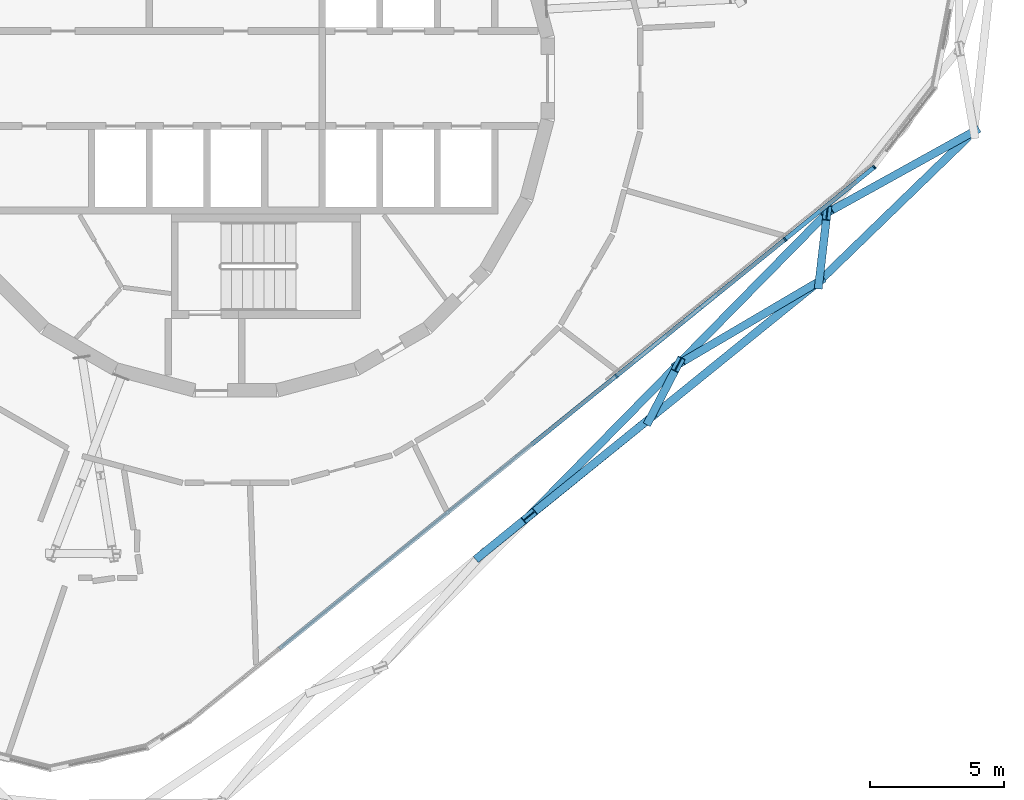
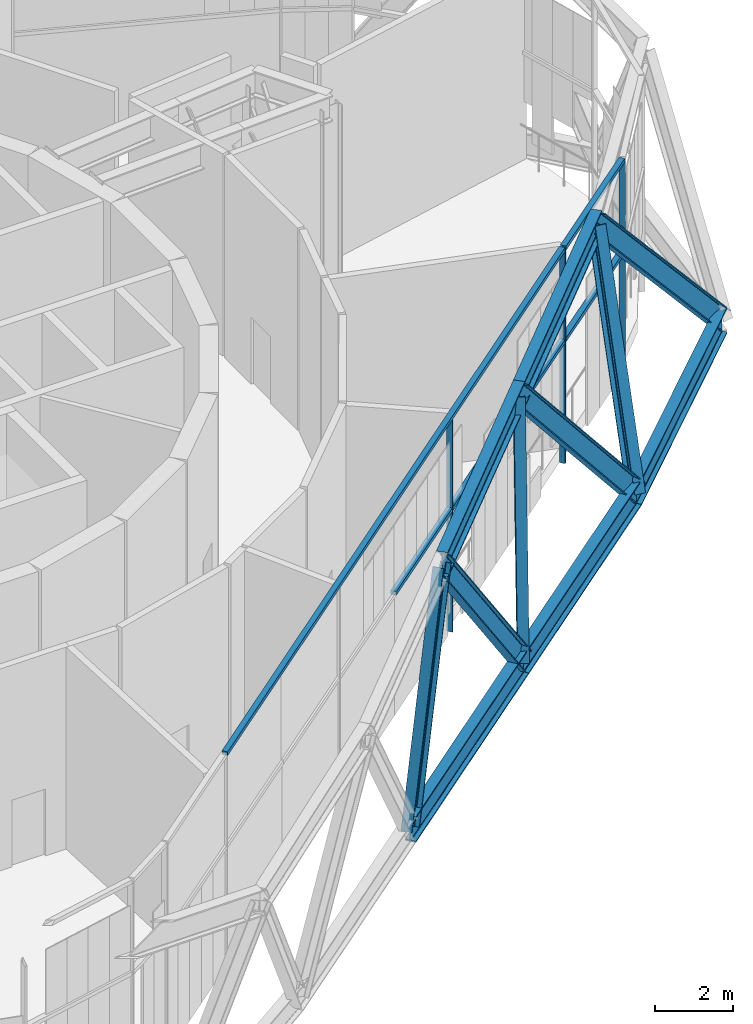
# One storey, part 4 of 25: 20 members, 2 elements without a shape of their own.
"""IFC4 building model written with IfcOpenShell, lengths in metres."""

from ifc_helpers import new_model, si_unit, direction, frame, origin, origin_2d, place, context, subcontext, project, spatial, rectangle, i_section, extrude, material, layer, layer_set, material_profile, profile_set, type_object, element, aggregate, save


model = new_model("IFC4")

# Units and contexts
model_context = context("Model", 3, precision=1e-05, world=origin(), true_north=direction((0.0, 1.0)))
body_context = subcontext(model_context, "Body", "Model", "MODEL_VIEW")
ifc_project = project(units=[si_unit("LENGTHUNIT", "METRE"), si_unit("AREAUNIT", "SQUARE_METRE"), si_unit("VOLUMEUNIT", "CUBIC_METRE"), si_unit("PLANEANGLEUNIT", "RADIAN"), si_unit("MASSUNIT", "GRAM", prefix="KILO")], contexts=[model_context])

# Site, building, storey
site_placement = place(None, origin())
site = spatial("IfcSite", under=ifc_project, at=site_placement, CompositionType="ELEMENT")
building_placement = place(site_placement, origin())
building = spatial("IfcBuilding", under=site, at=building_placement, Name="Spindle Arch Residences", CompositionType="ELEMENT")
storey_placement = place(building_placement, frame((0.0, 0.0, 291.39990234375)))
storey = spatial("IfcBuildingStorey", under=building, at=storey_placement, Name="L75", CompositionType="ELEMENT", Elevation=291.39990234375)

# Members
ifc_material_1 = material(Name="Steel S460ML, intumescent coating R 240", Category="steel")
ifc_material_profile_1 = material_profile(ifc_material_1, i_section(OverallWidth=0.302978515625, OverallDepth=0.81396484375, WebThickness=0.02099609375, FlangeThickness=0.0400390625, FilletRadius=0.030029296875, at=origin_2d()), Name="HEM 800")
ifc_profile_set_1 = profile_set([ifc_material_profile_1], Name="Steel S460ML, intumescent coating R 240")
member_type_1 = type_object("IfcMemberType", Name="Belt truss chord HEM 800", PredefinedType="CHORD", material=ifc_profile_set_1)
member_1_placement = place(storey_placement, frame((15.48291015625, -12.67822265625, -0.85693359375), z_axis=(0.777144581934, 0.629322094615, 0.0), x_axis=(-0.629322094615, 0.777144581934, 0.0)))
element("IfcMember", 1, at=member_1_placement, inside=storey, type_object=member_type_1, Name="Belt truss bottom chord L75.1", PredefinedType="CHORD", context=body_context, shape_type="SweptSolid", body=[
    extrude(i_section(OverallWidth=0.302978515625, OverallDepth=0.81396484375, WebThickness=0.02099609375, FlangeThickness=0.0400390625, FilletRadius=0.030029296875, at=origin_2d()), origin(), (0.0, 0.0, 1.0), 8.107666015625),
])
member_2_placement = place(storey_placement, frame((21.78369140625, -7.575927734375, -0.85693359375), z_axis=(0.718270539197, 0.695763920106, 0.0), x_axis=(-0.695763920106, 0.718270539197, 0.0)))
element("IfcMember", 2, at=member_2_placement, inside=storey, type_object=member_type_1, Name="Belt truss bottom chord L75.2", PredefinedType="CHORD", context=body_context, shape_type="SweptSolid", body=[
    extrude(i_section(OverallWidth=0.302978515625, OverallDepth=0.81396484375, WebThickness=0.02099609375, FlangeThickness=0.0400390625, FilletRadius=0.030029296875, at=origin_2d()), origin(), (0.0, 0.0, 1.0), 8.048828125),
])
member_3_placement = place(storey_placement, frame((9.18212890625, -17.780517578125, -0.85693359375), z_axis=(0.777144581934, 0.629322094615, 0.0), x_axis=(-0.629322094615, 0.777144581934, 0.0)))
element("IfcMember", 3, at=member_3_placement, inside=storey, type_object=member_type_1, Name="Belt truss bottom chord L75.20", PredefinedType="CHORD", context=body_context, shape_type="SweptSolid", body=[
    extrude(i_section(OverallWidth=0.302978515625, OverallDepth=0.81396484375, WebThickness=0.02099609375, FlangeThickness=0.0400390625, FilletRadius=0.030029296875, at=origin_2d()), origin(), (0.0, 0.0, 1.0), 8.107666015625),
])
for number, where, z_axis, x_axis, name in (
    (4, (16.521484375, -10.6728515625, 5.943115234375), (0.700911018066, 0.713248725728, 0.0), (-0.713248725728, 0.700911018066, 0.0), "Belt truss top chord L75.1"),
    (5, (10.959716796875, -16.33251953125, 5.943115234375), (0.700911018066, 0.713248725728, 0.0), (-0.713248725728, 0.700911018066, 0.0), "Belt truss top chord L75.20"),
):
    element("IfcMember", number, at=place(storey_placement, frame(where, z_axis=z_axis, x_axis=x_axis)), inside=storey, type_object=member_type_1, Name=name, PredefinedType="CHORD", context=body_context, shape_type="SweptSolid", body=[
        extrude(i_section(OverallWidth=0.302978515625, OverallDepth=0.81396484375, WebThickness=0.02099609375, FlangeThickness=0.0400390625, FilletRadius=0.030029296875, at=origin_2d()), origin(), (0.0, 0.0, 1.0), 7.93505859375),
    ])
ifc_material_2 = material(Name="Steel S460ML, intumescent coating R 240", Category="steel")
ifc_material_profile_2 = material_profile(ifc_material_2, i_section(OverallWidth=0.300048828125, OverallDepth=0.60009765625, WebThickness=0.015380859375, FlangeThickness=0.030029296875, FilletRadius=0.027099609375, at=origin_2d()), Name="HEB 600")
ifc_profile_set_2 = profile_set([ifc_material_profile_2], Name="Steel S460ML, intumescent coating R 240")
member_type_2 = type_object("IfcMemberType", Name="Belt truss diagonal HEB 600", PredefinedType="BRACE", material=ifc_profile_set_2)
member_4_placement = place(storey_placement, frame((15.48291015625, -12.67822265625, -0.85693359375), z_axis=(0.144945976304, 0.279874529703, 0.949031565111), x_axis=(-0.887980219472, 0.45988164763, 0.0)))
element("IfcMember", 6, at=member_4_placement, inside=storey, type_object=member_type_2, Name="Belt truss diagonal L75.1.1", PredefinedType="BRACE", context=body_context, shape_type="SweptSolid", body=[
    extrude(i_section(OverallWidth=0.300048828125, OverallDepth=0.60009765625, WebThickness=0.015380859375, FlangeThickness=0.030029296875, FilletRadius=0.027099609375, at=origin_2d()), origin(), (0.0, 0.0, 1.0), 7.165283203125),
])
member_5_placement = place(storey_placement, frame((21.78369140625, -7.575927734375, -0.85693359375), z_axis=(-0.575793005962, -0.33886676629, 0.744064331217), x_axis=(0.507203591585, -0.861826268272, 0.0)))
element("IfcMember", 7, at=member_5_placement, inside=storey, type_object=member_type_2, Name="Belt truss diagonal L75.1.2", PredefinedType="BRACE", context=body_context, shape_type="SweptSolid", body=[
    extrude(i_section(OverallWidth=0.300048828125, OverallDepth=0.60009765625, WebThickness=0.015380859375, FlangeThickness=0.030029296875, FilletRadius=0.027099609375, at=origin_2d()), origin(), (0.0, 0.0, 1.0), 9.13916015625),
])
member_6_placement = place(storey_placement, frame((21.78369140625, -7.575927734375, -0.85693359375), z_axis=(0.041187435332, 0.352359012776, 0.934958138788), x_axis=(-0.993237521272, 0.116100070363, 0.0)))
element("IfcMember", 8, at=member_6_placement, inside=storey, type_object=member_type_2, Name="Belt truss diagonal L75.2.2", PredefinedType="BRACE", context=body_context, shape_type="SweptSolid", body=[
    extrude(i_section(OverallWidth=0.300048828125, OverallDepth=0.60009765625, WebThickness=0.015380859375, FlangeThickness=0.030029296875, FilletRadius=0.027099609375, at=origin_2d()), origin(), (0.0, 0.0, 1.0), 7.273193359375),
])
member_7_placement = place(storey_placement, frame((27.56494140625, -1.975830078125, -0.85693359375), z_axis=(-0.59277929402, -0.328453533911, 0.73534412668), x_axis=(0.48466355728, -0.874700655221, 0.0)))
element("IfcMember", 9, at=member_7_placement, inside=storey, type_object=member_type_2, Name="Belt truss diagonal L75.2.3", PredefinedType="BRACE", context=body_context, shape_type="SweptSolid", body=[
    extrude(i_section(OverallWidth=0.300048828125, OverallDepth=0.60009765625, WebThickness=0.015380859375, FlangeThickness=0.030029296875, FilletRadius=0.027099609375, at=origin_2d()), origin(), (0.0, 0.0, 1.0), 9.24755859375),
])
member_8_placement = place(storey_placement, frame((9.18212890625, -17.780517578125, -0.85693359375), z_axis=(0.247707613144, 0.201779131102, 0.94758963726), x_axis=(-0.631566283977, 0.775321887311, 0.0)))
element("IfcMember", 10, at=member_8_placement, inside=storey, type_object=member_type_2, Name="Belt truss diagonal L75.20.20", PredefinedType="BRACE", context=body_context, shape_type="SweptSolid", body=[
    extrude(i_section(OverallWidth=0.300048828125, OverallDepth=0.60009765625, WebThickness=0.015380859375, FlangeThickness=0.030029296875, FilletRadius=0.027099609375, at=origin_2d()), origin(), (0.0, 0.0, 1.0), 7.17626953125),
])
member_9_placement = place(storey_placement, frame((15.48291015625, -12.67822265625, -0.85693359375), z_axis=(-0.505538344582, -0.408425430005, 0.760012927708), x_axis=(0.628435806926, -0.777861450756, 0.0)))
element("IfcMember", 11, at=member_9_placement, inside=storey, type_object=member_type_2, Name="Belt truss diagonal L75.20.1", PredefinedType="BRACE", context=body_context, shape_type="SweptSolid", body=[
    extrude(i_section(OverallWidth=0.300048828125, OverallDepth=0.60009765625, WebThickness=0.015380859375, FlangeThickness=0.030029296875, FilletRadius=0.027099609375, at=origin_2d()), origin(), (0.0, 0.0, 1.0), 8.947265625),
])

# Curtain wall, members
ifc_material_3 = material(Name="Aluminium bronze unitised frame with tinted glass", Category="aluminium")
ifc_layer = layer(ifc_material_3, 0.159912109375)
ifc_layer_set = layer_set([ifc_layer], Name="CW-E double-height winter garden wall")
curtain_wall_type = type_object("IfcCurtainWallType", Name="CW-E double-height winter garden wall", PredefinedType="NOTDEFINED", material=ifc_layer_set)
curtain_wall_1_placement = place(storey_placement, origin())
curtain_wall_1 = element("IfcCurtainWall", 12, at=curtain_wall_1_placement, inside=storey, type_object=curtain_wall_type, Name="CW-E L75 run 1", PredefinedType="NOTDEFINED")
ifc_material_4 = material(Name="Aluminium bronze anodised mullion", Category="aluminium")
ifc_material_profile_3 = material_profile(ifc_material_4, rectangle(XDim=0.159912109375, YDim=0.06005859375, at=origin_2d()), Name="MU 60x160")
ifc_profile_set_3 = profile_set([ifc_material_profile_3], Name="Aluminium bronze anodised mullion")
member_type_3 = type_object("IfcMemberType", Name="Bronze mullion 60x160", PredefinedType="MULLION", material=ifc_profile_set_3)
member_10_placement = place(storey_placement, frame((20.512451171875, -6.006103515625, -0.449951171875), z_axis=(0.0, 0.0, 1.0), x_axis=(-0.62932039105, 0.777145961457, 0.0)))
member_10 = element("IfcMember", 13, at=member_10_placement, type_object=member_type_3, Name="CW-E mullion 00", PredefinedType="MULLION", context=body_context, shape_type="SweptSolid", body=[
    extrude(rectangle(XDim=0.159912109375, YDim=0.06005859375, at=origin_2d()), origin(), (0.0, 0.0, 1.0), 6.679931640625),
])
member_11_placement = place(storey_placement, frame((23.84423828125, -3.30810546875, -0.449951171875), z_axis=(0.0, 0.0, 1.0), x_axis=(-0.791579170105, 0.611066622764, 0.0)))
member_11 = element("IfcMember", 14, at=member_11_placement, type_object=member_type_3, Name="CW-E mullion 01", PredefinedType="MULLION", context=body_context, shape_type="SweptSolid", body=[
    extrude(rectangle(XDim=0.159912109375, YDim=0.06005859375, at=origin_2d()), origin(), (0.0, 0.0, 1.0), 6.679931640625),
])

# Curtain wall, member
curtain_wall_2_placement = place(storey_placement, origin())
curtain_wall_2 = element("IfcCurtainWall", 15, at=curtain_wall_2_placement, inside=storey, type_object=curtain_wall_type, Name="CW-E L75 run 6", PredefinedType="NOTDEFINED")
member_12_placement = place(storey_placement, frame((14.211669921875, -11.1083984375, -0.449951171875), z_axis=(0.0, 0.0, 1.0), x_axis=(-0.62932039105, 0.777145961457, 0.0)))
member_12 = element("IfcMember", 16, at=member_12_placement, type_object=member_type_3, Name="CW-E mullion 00", PredefinedType="MULLION", context=body_context, shape_type="SweptSolid", body=[
    extrude(rectangle(XDim=0.159912109375, YDim=0.06005859375, at=origin_2d()), origin(), (0.0, 0.0, 1.0), 6.679931640625),
])

# Member
ifc_material_5 = material(Name="Aluminium bronze anodised transom", Category="aluminium")
ifc_material_profile_4 = material_profile(ifc_material_5, rectangle(XDim=0.159912109375, YDim=0.1201171875, at=origin_2d()), Name="TR 120x160")
ifc_profile_set_4 = profile_set([ifc_material_profile_4], Name="Aluminium bronze anodised transom")
member_type_4 = type_object("IfcMemberType", Name="Bronze transom 120x160", PredefinedType="USERDEFINED", material=ifc_profile_set_4)
member_13_placement = place(storey_placement, frame((20.535888671875, -5.9873046875, 6.2900390625), z_axis=(0.777158783918, 0.6293045563, 0.0), x_axis=(-0.6293045563, 0.777158783918, 0.0)))
member_13 = element("IfcMember", 17, at=member_13_placement, type_object=member_type_4, Name="CW-E transom 00", ObjectType="TRANSOM", PredefinedType="USERDEFINED", context=body_context, shape_type="SweptSolid", body=[
    extrude(rectangle(XDim=0.159912109375, YDim=0.1201171875, at=origin_2d()), origin(), (0.0, 0.0, 1.0), 4.22705078125),
])

member_14_placement = place(storey_placement, frame((20.535888671875, -5.9873046875, 3.400146484375), z_axis=(0.777158783918, 0.6293045563, 0.0), x_axis=(-0.6293045563, 0.777158783918, 0.0)))
member_14 = element("IfcMember", 18, at=member_14_placement, type_object=member_type_4, Name="CW-E transom 00m", ObjectType="TRANSOM", PredefinedType="USERDEFINED", context=body_context, shape_type="SweptSolid", body=[
    extrude(rectangle(XDim=0.159912109375, YDim=0.1201171875, at=origin_2d()), origin(), (0.0, 0.0, 1.0), 4.22705078125),
])

aggregate(curtain_wall_1, [member_10, member_13, member_14, member_11])

member_15_placement = place(storey_placement, frame((1.633544921875, -21.294189453125, 6.2900390625), z_axis=(0.777146208679, 0.629320085756, 0.0), x_axis=(-0.629320085756, 0.777146208679, 0.0)))
member_15 = element("IfcMember", 19, at=member_15_placement, type_object=member_type_4, Name="CW-E transom 00", ObjectType="TRANSOM", PredefinedType="USERDEFINED", context=body_context, shape_type="SweptSolid", body=[
    extrude(rectangle(XDim=0.159912109375, YDim=0.1201171875, at=origin_2d()), origin(), (0.0, 0.0, 1.0), 24.2626953125),
])

member_16_placement = place(storey_placement, frame((11.061279296875, -13.65966796875, 3.400146484375), z_axis=(0.777161500734, 0.629301201156, 0.0), x_axis=(-0.629301201156, 0.777161500734, 0.0)))
member_16 = element("IfcMember", 20, at=member_16_placement, type_object=member_type_4, Name="CW-E transom 19Bm", ObjectType="TRANSOM", PredefinedType="USERDEFINED", context=body_context, shape_type="SweptSolid", body=[
    extrude(rectangle(XDim=0.159912109375, YDim=0.1201171875, at=origin_2d()), origin(), (0.0, 0.0, 1.0), 4.02392578125),
])

member_17_placement = place(storey_placement, frame((14.235107421875, -11.089599609375, 3.400146484375), z_axis=(0.777137471281, 0.6293308754, 0.0), x_axis=(-0.6293308754, 0.777137471281, 0.0)))
member_17 = element("IfcMember", 21, at=member_17_placement, type_object=member_type_4, Name="CW-E transom 00Am", ObjectType="TRANSOM", PredefinedType="USERDEFINED", context=body_context, shape_type="SweptSolid", body=[
    extrude(rectangle(XDim=0.159912109375, YDim=0.1201171875, at=origin_2d()), origin(), (0.0, 0.0, 1.0), 4.023681640625),
])

member_18_placement = place(storey_placement, frame((17.362060546875, -8.557373046875, 3.400146484375), z_axis=(0.777161500734, 0.629301201156, 0.0), x_axis=(-0.629301201156, 0.777161500734, 0.0)))
member_18 = element("IfcMember", 22, at=member_18_placement, type_object=member_type_4, Name="CW-E transom 00Bm", ObjectType="TRANSOM", PredefinedType="USERDEFINED", context=body_context, shape_type="SweptSolid", body=[
    extrude(rectangle(XDim=0.159912109375, YDim=0.1201171875, at=origin_2d()), origin(), (0.0, 0.0, 1.0), 4.02392578125),
])

aggregate(curtain_wall_2, [member_15, member_16, member_12, member_17, member_18])

save(model, "model.ifc")
